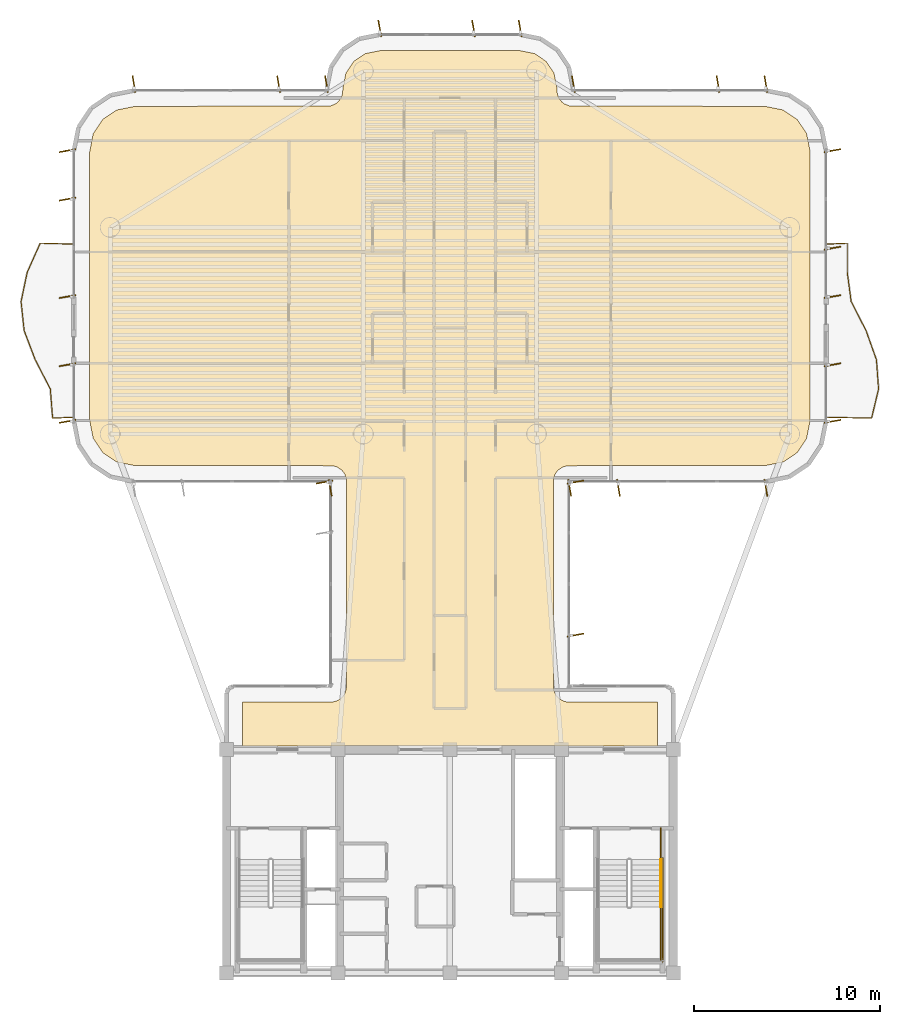
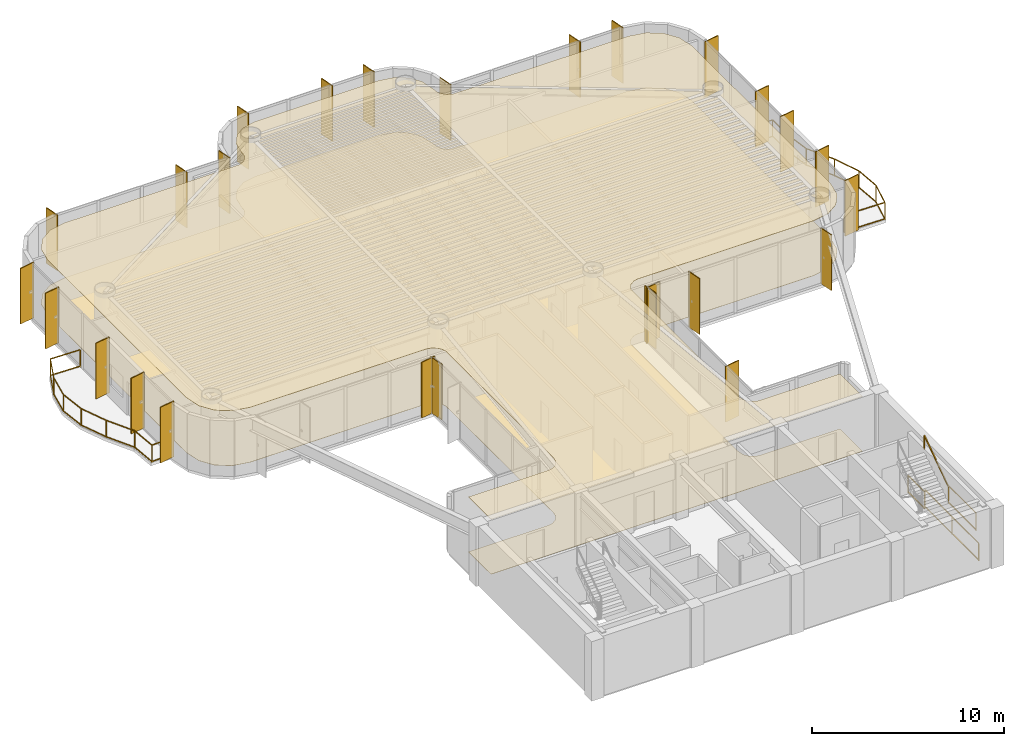
# One storey, part 15 of 15: 26 shading devices, 6 railings, 2 coverings.
"""IFC4 building model written with IfcOpenShell, lengths in metres."""

from ifc_helpers import new_model, si_unit, direction, frame, origin, origin_2d, place, context, subcontext, project, spatial, polyline, rectangle, outline, extrude, source, transform, mapped, material, layer, layer_set, material_profile, profile_set, type_object, element, save


model = new_model("IFC4")

# Units and contexts
model_context = context("Model", 3, precision=1e-05, world=origin(), true_north=direction((0.0, 1.0)))
body_context = subcontext(model_context, "Body", "Model", "MODEL_VIEW")
ifc_project = project(units=[si_unit("LENGTHUNIT", "METRE"), si_unit("AREAUNIT", "SQUARE_METRE"), si_unit("VOLUMEUNIT", "CUBIC_METRE"), si_unit("PLANEANGLEUNIT", "RADIAN"), si_unit("MASSUNIT", "GRAM", prefix="KILO")], contexts=[model_context])

# Site, building, storey
site_placement = place(None, origin())
site = spatial("IfcSite", under=ifc_project, at=site_placement, CompositionType="ELEMENT")
building_placement = place(site_placement, origin())
building = spatial("IfcBuilding", under=site, at=building_placement, Name="Brelvock Crest Care Tower", CompositionType="ELEMENT")
storey_placement = place(building_placement, frame((0.0, 0.0, 167.760009765625)))
storey = spatial("IfcBuildingStorey", under=building, at=storey_placement, Name="L42", CompositionType="ELEMENT", Elevation=167.760009765625)

# Coverings
ifc_material_1 = material(Name="Mineral Fibre Acoustic Ceiling Tile", Category="gypsum")
ifc_layer_1 = layer(ifc_material_1, 0.02490234375, Name="COV-CLG1")
ifc_layer_set_1 = layer_set([ifc_layer_1], Name="Mineral Fibre Acoustic Ceiling Tile")
covering_type_1 = type_object("IfcCoveringType", Name="COV-CLG1", PredefinedType="CEILING", material=ifc_layer_set_1)
covering_1_placement = place(storey_placement, frame((0.0, 0.0, 3.47509765625)))
element("IfcCovering", 1, at=covering_1_placement, inside=storey, type_object=covering_type_1, Name="L42 Acoustic Suspended Ceiling 1", PredefinedType="CEILING", context=body_context, shape_type="SweptSolid", body=[
    extrude(outline(polyline([(24.85009765625, 18.199951171875), (47.14990234375, 18.199951171875), (47.14990234375, 20.550048828125), (42.316650390625, 20.55419921875), (42.1533203125, 20.586669921875), (41.927734375, 20.693359375), (41.742919921875, 20.86083984375), (41.61474609375, 21.07470703125), (41.550048828125, 21.39990234375), (41.56640625, 32.56591796875), (41.650390625, 32.80078125), (41.799072265625, 33.0009765625), (42.07470703125, 33.185302734375), (42.316650390625, 33.245849609375), (52.916259765625, 33.25), (53.892822265625, 33.4443359375), (54.64990234375, 33.9501953125), (55.15576171875, 34.70703125), (55.35009765625, 35.68359375), (55.35009765625, 50.1162109375), (55.15576171875, 51.093017578125), (54.64990234375, 51.849853515625), (53.892822265625, 52.355712890625), (52.916259765625, 52.550048828125), (42.43408203125, 52.56640625), (42.127685546875, 52.693359375), (41.9990234375, 52.799072265625), (41.850341796875, 52.999267578125), (41.766357421875, 53.234130859375), (41.75, 53.516357421875), (41.586181640625, 54.33984375), (41.1669921875, 54.967041015625), (40.539794921875, 55.38623046875), (39.71630859375, 55.550048828125), (32.28369140625, 55.550048828125), (31.460205078125, 55.38623046875), (30.8330078125, 54.967041015625), (30.413818359375, 54.33984375), (30.25, 53.516357421875), (30.233642578125, 53.234130859375), (30.149658203125, 52.999267578125), (30.0009765625, 52.799072265625), (29.872314453125, 52.693359375), (29.56591796875, 52.56640625), (19.083740234375, 52.550048828125), (18.107177734375, 52.355712890625), (17.35009765625, 51.849853515625), (16.84423828125, 51.093017578125), (16.64990234375, 50.1162109375), (16.64990234375, 35.68359375), (16.84423828125, 34.70703125), (17.35009765625, 33.9501953125), (18.107177734375, 33.4443359375), (19.083740234375, 33.25), (29.683349609375, 33.245849609375), (29.92529296875, 33.185302734375), (30.200927734375, 33.0009765625), (30.349609375, 32.80078125), (30.43359375, 32.56591796875), (30.449951171875, 21.39990234375), (30.38525390625, 21.07470703125), (30.257080078125, 20.86083984375), (30.13916015625, 20.742919921875), (29.92529296875, 20.61474609375), (29.683349609375, 20.55419921875), (24.85009765625, 20.550048828125), (24.85009765625, 18.199951171875)])), origin(), (0.0, 0.0, 1.0), 0.02490234375),
])
ifc_material_2 = material(Name="Slip-Resistant Acoustic Vinyl Flooring", Category="finish")
ifc_layer_2 = layer(ifc_material_2, 0.014892578125, Name="COV-FLR1")
ifc_layer_set_2 = layer_set([ifc_layer_2], Name="Slip-Resistant Acoustic Vinyl Flooring")
covering_type_2 = type_object("IfcCoveringType", Name="COV-FLR1", PredefinedType="FLOORING", material=ifc_layer_set_2)
covering_2_placement = place(storey_placement, origin())
element("IfcCovering", 2, at=covering_2_placement, inside=storey, type_object=covering_type_2, Name="L42 Slip-Resistant Acoustic Flooring 1", PredefinedType="FLOORING", context=body_context, shape_type="SweptSolid", body=[
    extrude(outline(polyline([(24.85009765625, 18.199951171875), (47.14990234375, 18.199951171875), (47.14990234375, 20.550048828125), (42.316650390625, 20.55419921875), (42.1533203125, 20.586669921875), (41.927734375, 20.693359375), (41.742919921875, 20.86083984375), (41.61474609375, 21.07470703125), (41.550048828125, 21.39990234375), (41.56640625, 32.56591796875), (41.650390625, 32.80078125), (41.799072265625, 33.0009765625), (42.07470703125, 33.185302734375), (42.316650390625, 33.245849609375), (52.916259765625, 33.25), (53.892822265625, 33.4443359375), (54.64990234375, 33.9501953125), (55.15576171875, 34.70703125), (55.35009765625, 35.68359375), (55.35009765625, 50.1162109375), (55.15576171875, 51.093017578125), (54.64990234375, 51.849853515625), (53.892822265625, 52.355712890625), (52.916259765625, 52.550048828125), (42.43408203125, 52.56640625), (42.127685546875, 52.693359375), (41.9990234375, 52.799072265625), (41.850341796875, 52.999267578125), (41.766357421875, 53.234130859375), (41.75, 53.516357421875), (41.586181640625, 54.33984375), (41.1669921875, 54.967041015625), (40.539794921875, 55.38623046875), (39.71630859375, 55.550048828125), (32.28369140625, 55.550048828125), (31.460205078125, 55.38623046875), (30.8330078125, 54.967041015625), (30.413818359375, 54.33984375), (30.25, 53.516357421875), (30.233642578125, 53.234130859375), (30.149658203125, 52.999267578125), (30.0009765625, 52.799072265625), (29.872314453125, 52.693359375), (29.56591796875, 52.56640625), (19.083740234375, 52.550048828125), (18.107177734375, 52.355712890625), (17.35009765625, 51.849853515625), (16.84423828125, 51.093017578125), (16.64990234375, 50.1162109375), (16.64990234375, 35.68359375), (16.84423828125, 34.70703125), (17.35009765625, 33.9501953125), (18.107177734375, 33.4443359375), (19.083740234375, 33.25), (29.683349609375, 33.245849609375), (29.92529296875, 33.185302734375), (30.200927734375, 33.0009765625), (30.349609375, 32.80078125), (30.43359375, 32.56591796875), (30.449951171875, 21.39990234375), (30.38525390625, 21.07470703125), (30.257080078125, 20.86083984375), (30.13916015625, 20.742919921875), (29.92529296875, 20.61474609375), (29.683349609375, 20.55419921875), (24.85009765625, 20.550048828125), (24.85009765625, 18.199951171875)])), origin(), (0.0, 0.0, 1.0), 0.014892578125),
])

# Railings
ifc_material_3 = material(Name="Dark Glass Double Glazed Low-E", Category="glass")
ifc_layer_3 = layer(ifc_material_3, 0.06005859375, Name="RL-BAL1")
ifc_layer_set_3 = layer_set([ifc_layer_3], Name="Dark Glass Double Glazed Low-E")
railing_type_1 = type_object("IfcRailingType", Name="RL-BAL1", PredefinedType="BALUSTRADE", material=ifc_layer_set_3)
railing_1_placement = place(storey_placement, frame((15.760009765625, 35.85009765625, 0.00390625)))
element("IfcRailing", 3, at=railing_1_placement, inside=storey, type_object=railing_type_1, Name="L42 Safety Balustrade WB-W", PredefinedType="BALUSTRADE", context=body_context, shape_type="SweptSolid", body=[
    extrude(rectangle(XDim=0.048095703125, YDim=0.048095703125, at=origin_2d()), frame((-0.001953125, 0.0, 1.09619140625), z_axis=(-0.998966710972, -0.045447886318, 0.0), x_axis=(0.045447886318, -0.998966710972, 0.0)), (0.0, 0.0, 1.0), 1.09716796875),
    extrude(rectangle(XDim=0.048095703125, YDim=0.048095703125, at=origin_2d()), frame((-0.001953125, 0.0, 0.054931640625), z_axis=(-0.998966710972, -0.045447886318, 0.0), x_axis=(0.045447886318, -0.998966710972, 0.0)), (0.0, 0.0, 1.0), 1.09716796875),
    extrude(rectangle(XDim=0.048095703125, YDim=0.048095703125, at=origin_2d()), frame((-1.100341796875, -0.048095703125, 1.09619140625), z_axis=(-0.077219265236, 0.997014134843, 0.0), x_axis=(-0.997014134843, -0.077219265236, 0.0)), (0.0, 0.0, 1.0), 1.5673828125),
    extrude(rectangle(XDim=0.048095703125, YDim=0.048095703125, at=origin_2d()), frame((-1.100341796875, -0.048095703125, 0.054931640625), z_axis=(-0.077219265236, 0.997014134843, 0.0), x_axis=(-0.997014134843, -0.077219265236, 0.0)), (0.0, 0.0, 1.0), 1.5673828125),
    extrude(rectangle(XDim=0.048095703125, YDim=0.048095703125, at=origin_2d()), frame((-1.222412109375, 1.518310546875, 1.09619140625), z_axis=(-0.459189407307, 0.888338386099, 0.0), x_axis=(-0.888338386099, -0.459189407307, 0.0)), (0.0, 0.0, 1.0), 1.759521484375),
    extrude(rectangle(XDim=0.048095703125, YDim=0.048095703125, at=origin_2d()), frame((-1.222412109375, 1.518310546875, 0.054931640625), z_axis=(-0.459189407307, 0.888338386099, 0.0), x_axis=(-0.888338386099, -0.459189407307, 0.0)), (0.0, 0.0, 1.0), 1.759521484375),
    extrude(rectangle(XDim=0.048095703125, YDim=0.048095703125, at=origin_2d()), frame((-2.031982421875, 3.085205078125, 1.09619140625), z_axis=(-0.355922655104, 0.93451541645, 0.0), x_axis=(-0.93451541645, -0.355922655104, 0.0)), (0.0, 0.0, 1.0), 1.67236328125),
    extrude(rectangle(XDim=0.048095703125, YDim=0.048095703125, at=origin_2d()), frame((-2.031982421875, 3.085205078125, 0.054931640625), z_axis=(-0.355922655104, 0.93451541645, 0.0), x_axis=(-0.93451541645, -0.355922655104, 0.0)), (0.0, 0.0, 1.0), 1.67236328125),
    extrude(rectangle(XDim=0.048095703125, YDim=0.048095703125, at=origin_2d()), frame((-2.628173828125, 4.65185546875, 1.09619140625), z_axis=(-0.104612176701, 0.99451309317, 0.0), x_axis=(-0.99451309317, -0.104612176701, 0.0)), (0.0, 0.0, 1.0), 1.5712890625),
    extrude(rectangle(XDim=0.048095703125, YDim=0.048095703125, at=origin_2d()), frame((-2.628173828125, 4.65185546875, 0.054931640625), z_axis=(-0.104612176701, 0.99451309317, 0.0), x_axis=(-0.99451309317, -0.104612176701, 0.0)), (0.0, 0.0, 1.0), 1.5712890625),
    extrude(rectangle(XDim=0.048095703125, YDim=0.048095703125, at=origin_2d()), frame((-2.792236328125, 6.218505859375, 1.09619140625), z_axis=(0.204703423196, 0.978824043703, 0.0), x_axis=(-0.978824043703, 0.204703423196, 0.0)), (0.0, 0.0, 1.0), 1.596435546875),
    extrude(rectangle(XDim=0.048095703125, YDim=0.048095703125, at=origin_2d()), frame((-2.792236328125, 6.218505859375, 0.054931640625), z_axis=(0.204703423196, 0.978824043703, 0.0), x_axis=(-0.978824043703, 0.204703423196, 0.0)), (0.0, 0.0, 1.0), 1.596435546875),
    extrude(rectangle(XDim=0.048095703125, YDim=0.048095703125, at=origin_2d()), frame((-2.46435546875, 7.784912109375, 1.09619140625), z_axis=(0.407919874283, 0.913017730477, 0.0), x_axis=(-0.913017730477, 0.407919874283, 0.0)), (0.0, 0.0, 1.0), 1.7119140625),
    extrude(rectangle(XDim=0.048095703125, YDim=0.048095703125, at=origin_2d()), frame((-2.46435546875, 7.784912109375, 0.054931640625), z_axis=(0.407919874283, 0.913017730477, 0.0), x_axis=(-0.913017730477, 0.407919874283, 0.0)), (0.0, 0.0, 1.0), 1.7119140625),
    extrude(rectangle(XDim=0.048095703125, YDim=0.048095703125, at=origin_2d()), frame((-1.76318359375, 9.349853515625, 1.09619140625), z_axis=(0.999598265283, -0.028342689403, 0.0), x_axis=(0.028342689403, 0.999598265283, 0.0)), (0.0, 0.0, 1.0), 1.761962890625),
    extrude(rectangle(XDim=0.048095703125, YDim=0.048095703125, at=origin_2d()), frame((-1.76318359375, 9.349853515625, 0.054931640625), z_axis=(0.999598265283, -0.028342689403, 0.0), x_axis=(0.028342689403, 0.999598265283, 0.0)), (0.0, 0.0, 1.0), 1.761962890625),
    extrude(rectangle(XDim=0.0419921875, YDim=0.0419921875, at=origin_2d()), origin(), (0.0, 0.0, 1.0), 1.070068359375),
    extrude(rectangle(XDim=0.0419921875, YDim=0.0419921875, at=origin_2d()), frame((-1.10009765625, -0.050048828125, 0.0)), (0.0, 0.0, 1.0), 1.070068359375),
    extrude(rectangle(XDim=0.0419921875, YDim=0.0419921875, at=origin_2d()), frame((-1.221435546875, 1.5166015625, 0.0)), (0.0, 0.0, 1.0), 1.070068359375),
    extrude(rectangle(XDim=0.0419921875, YDim=0.0419921875, at=origin_2d()), frame((-2.03125, 3.083251953125, 0.0)), (0.0, 0.0, 1.0), 1.070068359375),
    extrude(rectangle(XDim=0.0419921875, YDim=0.0419921875, at=origin_2d()), frame((-2.6279296875, 4.64990234375, 0.0)), (0.0, 0.0, 1.0), 1.070068359375),
    extrude(rectangle(XDim=0.0419921875, YDim=0.0419921875, at=origin_2d()), frame((-2.792724609375, 6.216552734375, 0.0)), (0.0, 0.0, 1.0), 1.070068359375),
    extrude(rectangle(XDim=0.0419921875, YDim=0.0419921875, at=origin_2d()), frame((-2.465087890625, 7.783203125, 0.0)), (0.0, 0.0, 1.0), 1.070068359375),
    extrude(rectangle(XDim=0.0419921875, YDim=0.0419921875, at=origin_2d()), frame((-1.76513671875, 9.349853515625, 0.0)), (0.0, 0.0, 1.0), 1.070068359375),
    extrude(rectangle(XDim=0.0419921875, YDim=0.0419921875, at=origin_2d()), frame((0.0, 9.2998046875, 0.0)), (0.0, 0.0, 1.0), 1.070068359375),
])
railing_2_placement = place(storey_placement, frame((56.239990234375, 35.85009765625, 0.00390625)))
element("IfcRailing", 4, at=railing_2_placement, inside=storey, type_object=railing_type_1, Name="L42 Safety Balustrade WB-E", PredefinedType="BALUSTRADE", context=body_context, shape_type="SweptSolid", body=[
    extrude(rectangle(XDim=0.048095703125, YDim=0.048095703125, at=origin_2d()), frame((0.001953125, 0.0, 1.09619140625), z_axis=(0.999783452903, -0.020809788592, 0.0), x_axis=(0.020809788592, 0.999783452903, 0.0)), (0.0, 0.0, 1.0), 2.401123046875),
    extrude(rectangle(XDim=0.048095703125, YDim=0.048095703125, at=origin_2d()), frame((0.001953125, 0.0, 0.054931640625), z_axis=(0.999783452903, -0.020809788592, 0.0), x_axis=(0.020809788592, 0.999783452903, 0.0)), (0.0, 0.0, 1.0), 2.401123046875),
    extrude(rectangle(XDim=0.048095703125, YDim=0.048095703125, at=origin_2d()), frame((2.405029296875, -0.048095703125, 1.09619140625), z_axis=(0.233361490021, 0.972390052898, 0.0), x_axis=(-0.972390052898, 0.233361490021, 0.0)), (0.0, 0.0, 1.0), 1.607177734375),
    extrude(rectangle(XDim=0.048095703125, YDim=0.048095703125, at=origin_2d()), frame((2.405029296875, -0.048095703125, 0.054931640625), z_axis=(0.233361490021, 0.972390052898, 0.0), x_axis=(-0.972390052898, 0.233361490021, 0.0)), (0.0, 0.0, 1.0), 1.607177734375),
    extrude(rectangle(XDim=0.048095703125, YDim=0.048095703125, at=origin_2d()), frame((2.7802734375, 1.5185546875, 1.09619140625), z_axis=(-0.071346467425, 0.997451593605, 0.0), x_axis=(-0.997451593605, -0.071346467425, 0.0)), (0.0, 0.0, 1.0), 1.566650390625),
    extrude(rectangle(XDim=0.048095703125, YDim=0.048095703125, at=origin_2d()), frame((2.7802734375, 1.5185546875, 0.054931640625), z_axis=(-0.071346467425, 0.997451593605, 0.0), x_axis=(-0.997451593605, -0.071346467425, 0.0)), (0.0, 0.0, 1.0), 1.566650390625),
    extrude(rectangle(XDim=0.048095703125, YDim=0.048095703125, at=origin_2d()), frame((2.667724609375, 3.085205078125, 1.09619140625), z_axis=(-0.335973745247, 0.941871351356, 0.0), x_axis=(-0.941871351356, -0.335973745247, 0.0)), (0.0, 0.0, 1.0), 1.659423828125),
    extrude(rectangle(XDim=0.048095703125, YDim=0.048095703125, at=origin_2d()), frame((2.667724609375, 3.085205078125, 0.054931640625), z_axis=(-0.335973745247, 0.941871351356, 0.0), x_axis=(-0.941871351356, -0.335973745247, 0.0)), (0.0, 0.0, 1.0), 1.659423828125),
    extrude(rectangle(XDim=0.048095703125, YDim=0.048095703125, at=origin_2d()), frame((2.108642578125, 4.651611328125, 1.09619140625), z_axis=(-0.4551330635, 0.890423435512, 0.0), x_axis=(-0.890423435512, -0.4551330635, 0.0)), (0.0, 0.0, 1.0), 1.75537109375),
    extrude(rectangle(XDim=0.048095703125, YDim=0.048095703125, at=origin_2d()), frame((2.108642578125, 4.651611328125, 0.054931640625), z_axis=(-0.4551330635, 0.890423435512, 0.0), x_axis=(-0.890423435512, -0.4551330635, 0.0)), (0.0, 0.0, 1.0), 1.75537109375),
    extrude(rectangle(XDim=0.048095703125, YDim=0.048095703125, at=origin_2d()), frame((1.30859375, 6.218505859375, 1.09619140625), z_axis=(-0.132072655877, 0.99124003832, 0.0), x_axis=(-0.99124003832, -0.132072655877, 0.0)), (0.0, 0.0, 1.0), 1.576416015625),
    extrude(rectangle(XDim=0.048095703125, YDim=0.048095703125, at=origin_2d()), frame((1.30859375, 6.218505859375, 0.054931640625), z_axis=(-0.132072655877, 0.99124003832, 0.0), x_axis=(-0.99124003832, -0.132072655877, 0.0)), (0.0, 0.0, 1.0), 1.576416015625),
    extrude(rectangle(XDim=0.048095703125, YDim=0.048095703125, at=origin_2d()), frame((1.10009765625, 7.78515625, 1.09619140625), z_axis=(0.0, 1.0, 0.0), x_axis=(-1.0, 0.0, 0.0)), (0.0, 0.0, 1.0), 1.562744140625),
    extrude(rectangle(XDim=0.048095703125, YDim=0.048095703125, at=origin_2d()), frame((1.10009765625, 7.78515625, 0.054931640625), z_axis=(0.0, 1.0, 0.0), x_axis=(-1.0, 0.0, 0.0)), (0.0, 0.0, 1.0), 1.562744140625),
    extrude(rectangle(XDim=0.048095703125, YDim=0.048095703125, at=origin_2d()), frame((1.09814453125, 9.349853515625, 1.09619140625), z_axis=(-0.998966710972, -0.045447886318, 0.0), x_axis=(0.045447886318, -0.998966710972, 0.0)), (0.0, 0.0, 1.0), 1.09716796875),
    extrude(rectangle(XDim=0.048095703125, YDim=0.048095703125, at=origin_2d()), frame((1.09814453125, 9.349853515625, 0.054931640625), z_axis=(-0.998966710972, -0.045447886318, 0.0), x_axis=(0.045447886318, -0.998966710972, 0.0)), (0.0, 0.0, 1.0), 1.09716796875),
    extrude(rectangle(XDim=0.0419921875, YDim=0.0419921875, at=origin_2d()), origin(), (0.0, 0.0, 1.0), 1.070068359375),
    extrude(rectangle(XDim=0.0419921875, YDim=0.0419921875, at=origin_2d()), frame((2.404541015625, -0.050048828125, 0.0)), (0.0, 0.0, 1.0), 1.070068359375),
    extrude(rectangle(XDim=0.0419921875, YDim=0.0419921875, at=origin_2d()), frame((2.780517578125, 1.5166015625, 0.0)), (0.0, 0.0, 1.0), 1.070068359375),
    extrude(rectangle(XDim=0.0419921875, YDim=0.0419921875, at=origin_2d()), frame((2.66845703125, 3.083251953125, 0.0)), (0.0, 0.0, 1.0), 1.070068359375),
    extrude(rectangle(XDim=0.0419921875, YDim=0.0419921875, at=origin_2d()), frame((2.109619140625, 4.64990234375, 0.0)), (0.0, 0.0, 1.0), 1.070068359375),
    extrude(rectangle(XDim=0.0419921875, YDim=0.0419921875, at=origin_2d()), frame((1.308837890625, 6.216552734375, 0.0)), (0.0, 0.0, 1.0), 1.070068359375),
    extrude(rectangle(XDim=0.0419921875, YDim=0.0419921875, at=origin_2d()), frame((1.10009765625, 7.783203125, 0.0)), (0.0, 0.0, 1.0), 1.070068359375),
    extrude(rectangle(XDim=0.0419921875, YDim=0.0419921875, at=origin_2d()), frame((1.10009765625, 9.349853515625, 0.0)), (0.0, 0.0, 1.0), 1.070068359375),
    extrude(rectangle(XDim=0.0419921875, YDim=0.0419921875, at=origin_2d()), frame((0.0, 9.2998046875, 0.0)), (0.0, 0.0, 1.0), 1.070068359375),
])
ifc_material_4 = material(Name="Steel Grade 350", Category="steel")
ifc_layer_4 = layer(ifc_material_4, 0.050048828125, Name="RL-STG1")
ifc_layer_set_4 = layer_set([ifc_layer_4], Name="Steel Grade 350")
railing_type_2 = type_object("IfcRailingType", Name="RL-STG1", PredefinedType="GUARDRAIL", material=ifc_layer_set_4)
railing_3_placement = place(storey_placement, frame((47.320068359375, 9.56005859375, 1.889892578125)))
element("IfcRailing", 5, at=railing_3_placement, inside=storey, type_object=railing_type_2, Name="L42 ST-2 stair guard 4", PredefinedType="GUARDRAIL", context=body_context, shape_type="SweptSolid", body=[
    extrude(rectangle(XDim=0.048095703125, YDim=0.048095703125, at=origin_2d()), frame((0.0, -0.001953125, 1.11572265625), z_axis=(0.0, -1.0, 0.0), x_axis=(1.0, 0.0, 0.0)), (0.0, 0.0, 1.0), 2.856201171875),
    extrude(rectangle(XDim=0.048095703125, YDim=0.048095703125, at=origin_2d()), frame((0.0, -0.001953125, 0.054931640625), z_axis=(0.0, -1.0, 0.0), x_axis=(1.0, 0.0, 0.0)), (0.0, 0.0, 1.0), 2.856201171875),
    extrude(rectangle(XDim=0.0419921875, YDim=0.0419921875, at=origin_2d()), origin(), (0.0, 0.0, 1.0), 1.08984375),
    extrude(rectangle(XDim=0.0419921875, YDim=0.0419921875, at=origin_2d()), frame((0.0, -2.860107421875, 0.0)), (0.0, 0.0, 1.0), 1.08984375),
])
railing_4_placement = place(storey_placement, frame((47.320068359375, 13.780029296875, 0.0)))
element("IfcRailing", 6, at=railing_4_placement, inside=storey, type_object=railing_type_2, Name="L42 ST-2 stair guard 9", PredefinedType="GUARDRAIL", context=body_context, shape_type="SweptSolid", body=[
    extrude(rectangle(XDim=0.048095703125, YDim=0.048095703125, at=origin_2d()), frame((0.0, -0.001953125, 1.11572265625), z_axis=(0.0, -1.0, 0.0), x_axis=(1.0, 0.0, 0.0)), (0.0, 0.0, 1.0), 1.696044921875),
    extrude(rectangle(XDim=0.048095703125, YDim=0.048095703125, at=origin_2d()), frame((0.0, -0.001953125, 0.054931640625), z_axis=(0.0, -1.0, 0.0), x_axis=(1.0, 0.0, 0.0)), (0.0, 0.0, 1.0), 1.696044921875),
    extrude(rectangle(XDim=0.0419921875, YDim=0.0419921875, at=origin_2d()), origin(), (0.0, 0.0, 1.0), 1.08984375),
    extrude(rectangle(XDim=0.0419921875, YDim=0.0419921875, at=origin_2d()), frame((0.0, -1.699951171875, 0.0)), (0.0, 0.0, 1.0), 1.08984375),
])
railing_5_placement = place(storey_placement, frame((47.419921875, 12.179931640625, 0.0)))
element("IfcRailing", 7, at=railing_5_placement, inside=storey, type_object=railing_type_2, Name="L42 ST-2 stair guard 11", PredefinedType="GUARDRAIL", context=body_context, shape_type="SweptSolid", body=[
    extrude(rectangle(XDim=0.048095703125, YDim=0.048095703125, at=origin_2d()), frame((0.0, -0.001953125, 1.11572265625), z_axis=(0.0, -1.0, 0.0), x_axis=(1.0, 0.0, 0.0)), (0.0, 0.0, 1.0), 5.575927734375),
    extrude(rectangle(XDim=0.048095703125, YDim=0.048095703125, at=origin_2d()), frame((0.0, -0.001953125, 0.054931640625), z_axis=(0.0, -1.0, 0.0), x_axis=(1.0, 0.0, 0.0)), (0.0, 0.0, 1.0), 5.575927734375),
    extrude(rectangle(XDim=0.0419921875, YDim=0.0419921875, at=origin_2d()), origin(), (0.0, 0.0, 1.0), 1.08984375),
    extrude(rectangle(XDim=0.0419921875, YDim=0.0419921875, at=origin_2d()), frame((0.0, -2.7900390625, 0.0)), (0.0, 0.0, 1.0), 1.08984375),
    extrude(rectangle(XDim=0.0419921875, YDim=0.0419921875, at=origin_2d()), frame((0.0, -5.579833984375, 0.0)), (0.0, 0.0, 1.0), 1.08984375),
])
ifc_layer_5 = layer(ifc_material_4, 0.048095703125, Name="RL-STH1")
ifc_layer_set_5 = layer_set([ifc_layer_5], Name="Steel Grade 350")
railing_type_3 = type_object("IfcRailingType", Name="RL-STH1", PredefinedType="HANDRAIL", material=ifc_layer_set_5)
railing_6_placement = place(storey_placement, frame((47.320068359375, 9.56005859375, 2.0791015625)))
element("IfcRailing", 8, at=railing_6_placement, inside=storey, type_object=railing_type_3, Name="L42 ST-2 stair handrail 2", PredefinedType="HANDRAIL", context=body_context, shape_type="SweptSolid", body=[
    extrude(rectangle(XDim=0.048095703125, YDim=0.048095703125, at=origin_2d()), frame((0.0, 0.001708984375, 0.876953125), z_axis=(0.0, 0.828861706735, 0.559453546873), x_axis=(-1.0, 0.0, 0.0)), (0.0, 0.0, 1.0), 3.036376953125),
    extrude(rectangle(XDim=0.0419921875, YDim=0.0419921875, at=origin_2d()), origin(), (0.0, 0.0, 1.0), 0.849853515625),
    extrude(rectangle(XDim=0.0419921875, YDim=0.0419921875, at=origin_2d()), frame((0.0, 2.52001953125, 1.700927734375)), (0.0, 0.0, 1.0), 0.849853515625),
])

# Shading devices
ifc_material_5 = material(Name="Aluminium 6063-T6", Category="aluminium")
ifc_material_profile = material_profile(ifc_material_5, rectangle(XDim=0.054931640625, YDim=0.89990234375, at=origin_2d()), Name="FIN55x900")
ifc_profile_set = profile_set([ifc_material_profile], Name="Aluminium 6063-T6")
shading_device_type = type_object("IfcShadingDeviceType", Name="SHD-FIN1", PredefinedType="USERDEFINED", material=ifc_profile_set)
shared_shape = source(origin(), body_context, "Body", "SweptSolid", [
    extrude(rectangle(XDim=0.054931640625, YDim=0.89990234375, at=origin_2d()), origin(), (0.0, 0.0, 1.0), 3.530029296875),
])
for number, where, z_axis, x_axis, name in (
    (9, (29.260009765625, 32.3701171875, 0.0), (0.0, 0.0, 1.0), (-0.173648177667, 0.984807753012, 0.0), "L42 Vertical Sunshade Fin E11-05"),
    (10, (29.570068359375, 32.06005859375, 0.0), (0.0, 0.0, 1.0), (-0.984807753012, -0.173648177667, 0.0), "L42 Vertical Sunshade Fin E12-01"),
    (11, (15.4599609375, 35.6298828125, 0.0), (0.0, 0.0, 1.0), (-0.173648177667, 0.984807753012, 0.0), "L42 Vertical Sunshade Fin E17A-01"),
    (12, (15.4599609375, 38.669921875, 0.0), (0.0, 0.0, 1.0), (-0.173648177667, 0.984807753012, 0.0), "L42 Vertical Sunshade Fin E17A-02"),
    (13, (15.4599609375, 42.330078125, 0.0), (0.0, 0.0, 1.0), (-0.173648177667, 0.984807753012, 0.0), "L42 Vertical Sunshade Fin E17B-01"),
    (14, (15.4599609375, 47.566650390625, 0.0), (0.0, 0.0, 1.0), (-0.173648177667, 0.984807753012, 0.0), "L42 Vertical Sunshade Fin E17B-03"),
    (15, (15.4599609375, 50.169921875, 0.0), (0.0, 0.0, 1.0), (-0.173648177667, 0.984807753012, 0.0), "L42 Vertical Sunshade Fin E17B-04"),
    (16, (19.030029296875, 53.739990234375, 0.0), (0.0, 0.0, 1.0), (0.984807753012, 0.173648177667, 0.0), "L42 Vertical Sunshade Fin E22-01"),
    (17, (26.800048828125, 53.739990234375, 0.0), (0.0, 0.0, 1.0), (0.984807753012, 0.173648177667, 0.0), "L42 Vertical Sunshade Fin E22-04"),
    (18, (29.3701171875, 53.739990234375, 0.0), (0.0, 0.0, 1.0), (0.984807753012, 0.173648177667, 0.0), "L42 Vertical Sunshade Fin E22-05"),
    (19, (32.22998046875, 56.739990234375, 0.0), (0.0, 0.0, 1.0), (0.984807753012, 0.173648177667, 0.0), "L42 Vertical Sunshade Fin E28-01"),
    (20, (37.2666015625, 56.739990234375, 0.0), (0.0, 0.0, 1.0), (0.984807753012, 0.173648177667, 0.0), "L42 Vertical Sunshade Fin E28-03"),
    (21, (39.77001953125, 56.739990234375, 0.0), (0.0, 0.0, 1.0), (0.984807753012, 0.173648177667, 0.0), "L42 Vertical Sunshade Fin E28-04"),
    (22, (42.6298828125, 53.739990234375, 0.0), (0.0, 0.0, 1.0), (0.984807753012, 0.173648177667, 0.0), "L42 Vertical Sunshade Fin E34-01"),
    (23, (50.39990234375, 53.739990234375, 0.0), (0.0, 0.0, 1.0), (0.984807753012, 0.173648177667, 0.0), "L42 Vertical Sunshade Fin E34-04"),
    (24, (52.969970703125, 53.739990234375, 0.0), (0.0, 0.0, 1.0), (0.984807753012, 0.173648177667, 0.0), "L42 Vertical Sunshade Fin E34-05"),
    (25, (56.5400390625, 50.169921875, 0.0), (0.0, 0.0, 1.0), (0.173648177667, -0.984807753012, 0.0), "L42 Vertical Sunshade Fin E39A-01"),
    (26, (56.5400390625, 44.933349609375, 0.0), (0.0, 0.0, 1.0), (0.173648177667, -0.984807753012, 0.0), "L42 Vertical Sunshade Fin E39A-03"),
    (27, (56.5400390625, 42.330078125, 0.0), (0.0, 0.0, 1.0), (0.173648177667, -0.984807753012, 0.0), "L42 Vertical Sunshade Fin E39A-04"),
    (28, (56.5400390625, 38.669921875, 0.0), (0.0, 0.0, 1.0), (0.173648177667, -0.984807753012, 0.0), "L42 Vertical Sunshade Fin E39B-01"),
    (29, (56.5400390625, 35.6298828125, 0.0), (0.0, 0.0, 1.0), (0.173648177667, -0.984807753012, 0.0), "L42 Vertical Sunshade Fin E39B-02"),
    (30, (52.969970703125, 32.06005859375, 0.0), (0.0, 0.0, 1.0), (-0.984807753012, -0.173648177667, 0.0), "L42 Vertical Sunshade Fin E44-01"),
    (31, (45.050048828125, 32.06005859375, 0.0), (0.0, 0.0, 1.0), (-0.984807753012, -0.173648177667, 0.0), "L42 Vertical Sunshade Fin E44-04"),
    (32, (42.429931640625, 32.06005859375, 0.0), (0.0, 0.0, 1.0), (-0.984807753012, -0.173648177667, 0.0), "L42 Vertical Sunshade Fin E44-05"),
    (33, (42.739990234375, 32.3701171875, 0.0), (0.0, 0.0, 1.0), (0.173648177667, -0.984807753012, 0.0), "L42 Vertical Sunshade Fin E45-01"),
    (34, (42.739990234375, 24.14990234375, 0.0), (0.0, 0.0, 1.0), (0.173648177667, -0.984807753012, 0.0), "L42 Vertical Sunshade Fin E45-04"),
):
    element("IfcShadingDevice", number, at=place(storey_placement, frame(where, z_axis=z_axis, x_axis=x_axis)), inside=storey, type_object=shading_device_type, Name=name, ObjectType="FIN", PredefinedType="USERDEFINED", context=body_context, shape_type="MappedRepresentation", body=[
        mapped(shared_shape, transform((0.0, 0.0, 0.0), x_axis=(1.0, 0.0, 0.0), y_axis=(0.0, 1.0, 0.0), z_axis=(0.0, 0.0, 1.0), scale=1.0)),
    ])

save(model, "model.ifc")
